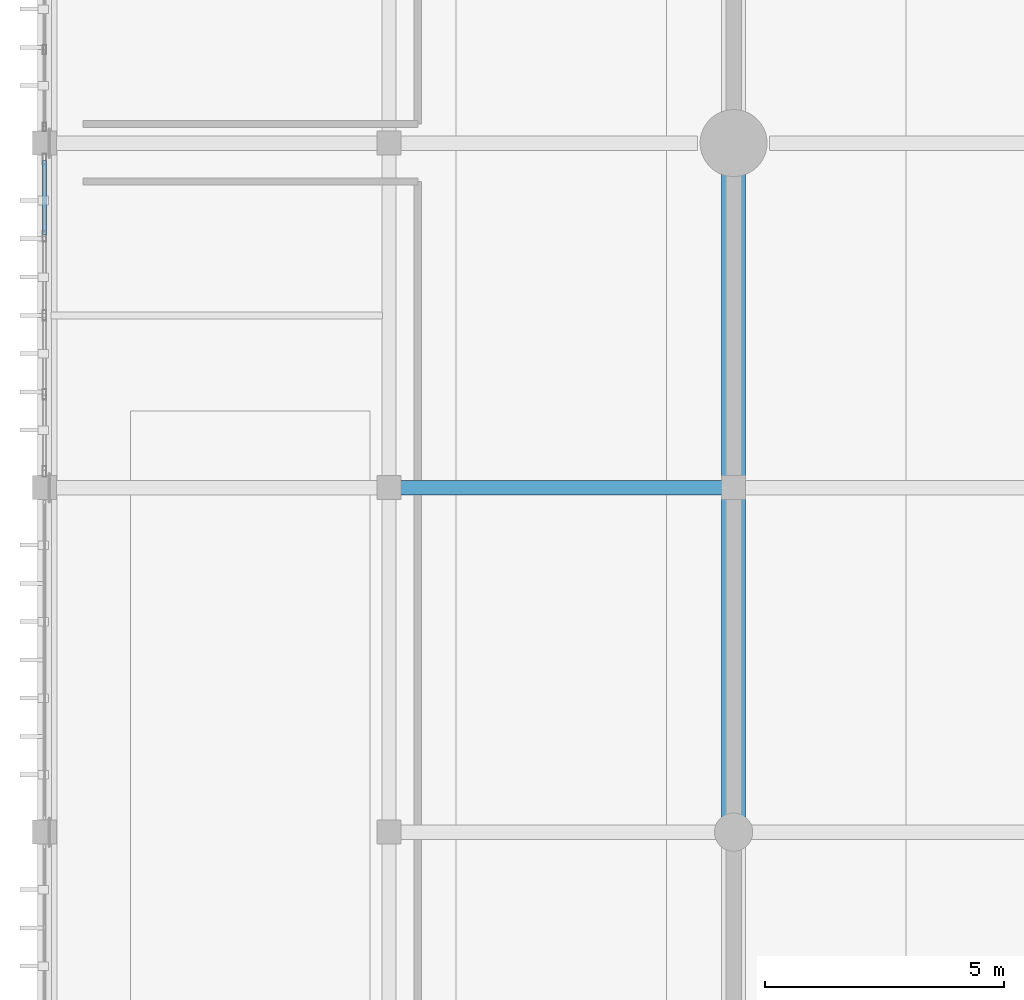
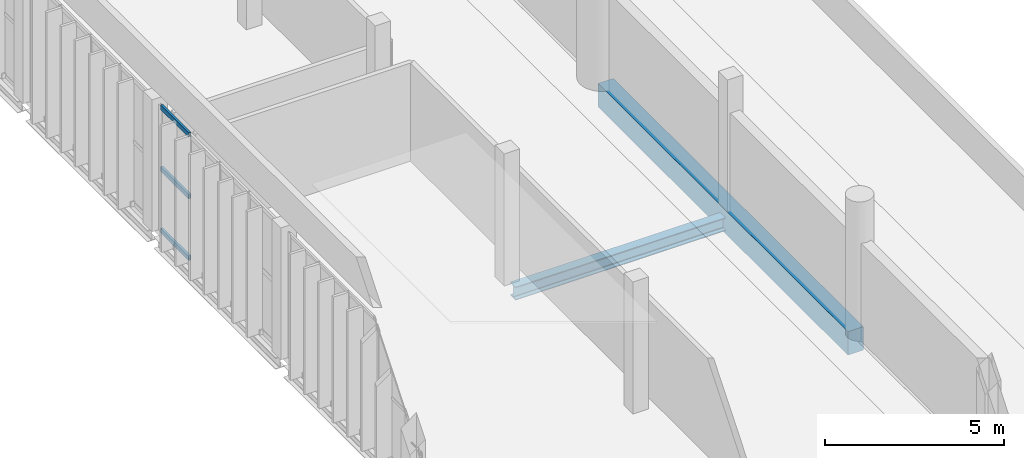
# One storey, part 14 of 64: 3 members, 2 beams, 1 element without a shape of its own.
"""IFC4 building model written with IfcOpenShell, lengths in metres."""

from ifc_helpers import new_model, si_unit, direction, frame, origin, origin_2d, place, context, subcontext, project, spatial, rectangle, hollow_rectangle, i_section, extrude, material, material_profile, profile_set, type_object, element, aggregate, save


model = new_model("IFC4")

# Units and contexts
model_context = context("Model", 3, precision=1e-05, world=origin(), true_north=direction((0.0, 1.0)))
body_context = subcontext(model_context, "Body", "Model", "MODEL_VIEW")
ifc_project = project(units=[si_unit("LENGTHUNIT", "METRE"), si_unit("AREAUNIT", "SQUARE_METRE"), si_unit("VOLUMEUNIT", "CUBIC_METRE"), si_unit("PLANEANGLEUNIT", "RADIAN"), si_unit("MASSUNIT", "GRAM", prefix="KILO")], contexts=[model_context])

# Site, building, storey
site_placement = place(None, origin())
site = spatial("IfcSite", under=ifc_project, at=site_placement, CompositionType="ELEMENT")
building_placement = place(site_placement, origin())
building = spatial("IfcBuilding", under=site, at=building_placement, Name="Qandorah Velis Arena", CompositionType="ELEMENT")
storey_placement = place(building_placement, frame((0.0, 0.0, 23.0)))
storey = spatial("IfcBuildingStorey", under=building, at=storey_placement, Name="L05", CompositionType="ELEMENT", Elevation=23.0)

# Curtain wall, members
ifc_material_1 = material(Name="Solar-control low-E double glazing", Category="glass")
curtain_wall_type = type_object("IfcCurtainWallType", Name="ARC-CW-SYS21", PredefinedType="USERDEFINED", material=ifc_material_1)
curtain_wall_placement = place(storey_placement, origin())
curtain_wall = element("IfcCurtainWall", 1, at=curtain_wall_placement, inside=storey, type_object=curtain_wall_type, Name="Unitised curtain wall L05-045", ObjectType="UNITISED CURTAIN WALL", PredefinedType="USERDEFINED")
ifc_material_2 = material(Name="Champagne-bronze anodized aluminium 6063-T6", Category="aluminium")
ifc_material_profile_1 = material_profile(ifc_material_2, hollow_rectangle(XDim=0.074951171875, YDim=0.159912109375, WallThickness=0.00341796875, at=origin_2d()), Name="ALU TRANSOM 75x160")
ifc_profile_set_1 = profile_set([ifc_material_profile_1], Name="Champagne-bronze anodized aluminium 6063-T6")
member_type = type_object("IfcMemberType", Name="ARC-CWT-160", PredefinedType="USERDEFINED", material=ifc_profile_set_1)
member_1_placement = place(storey_placement, frame((0.0, 55.675537109375, 0.03759765625), z_axis=(0.0, 1.0, 0.0), x_axis=(-1.0, 0.0, 0.0)))
member_1 = element("IfcMember", 2, at=member_1_placement, type_object=member_type, Name="CW21 transom 4.1", ObjectType="TRANSOM", PredefinedType="USERDEFINED", context=body_context, shape_type="SweptSolid", body=[
    extrude(hollow_rectangle(XDim=0.074951171875, YDim=0.159912109375, WallThickness=0.00341796875, at=origin_2d()), origin(), (0.0, 0.0, 1.0), 1.5615234375),
])
member_2_placement = place(storey_placement, frame((0.0, 55.675537109375, 2.139892578125), z_axis=(0.0, 1.0, 0.0), x_axis=(-1.0, 0.0, 0.0)))
member_2 = element("IfcMember", 3, at=member_2_placement, type_object=member_type, Name="CW21 transom 4.2", ObjectType="TRANSOM", PredefinedType="USERDEFINED", context=body_context, shape_type="SweptSolid", body=[
    extrude(hollow_rectangle(XDim=0.074951171875, YDim=0.159912109375, WallThickness=0.00341796875, at=origin_2d()), origin(), (0.0, 0.0, 1.0), 1.5615234375),
])
member_3_placement = place(storey_placement, frame((0.0, 55.675537109375, 4.242431640625), z_axis=(0.0, 1.0, 0.0), x_axis=(-1.0, 0.0, 0.0)))
member_3 = element("IfcMember", 4, at=member_3_placement, type_object=member_type, Name="CW21 transom 4.3", ObjectType="TRANSOM", PredefinedType="USERDEFINED", context=body_context, shape_type="SweptSolid", body=[
    extrude(hollow_rectangle(XDim=0.074951171875, YDim=0.159912109375, WallThickness=0.00341796875, at=origin_2d()), origin(), (0.0, 0.0, 1.0), 1.5615234375),
])
aggregate(curtain_wall, [member_1, member_2, member_3])

# Beams
ifc_material_3 = material(Name="Steel S355", Category="steel")
ifc_material_profile_2 = material_profile(ifc_material_3, i_section(OverallWidth=0.300048828125, OverallDepth=0.449951171875, WebThickness=0.013916015625, FlangeThickness=0.02587890625, FilletRadius=0.027099609375, at=origin_2d()), Name="HEB 450")
ifc_profile_set_2 = profile_set([ifc_material_profile_2], Name="Steel S355")
beam_type_1 = type_object("IfcBeamType", Name="STR-BM-HEB450", PredefinedType="BEAM", material=ifc_profile_set_2)
beam_1_placement = place(storey_placement, frame((7.37841796875, 50.39990234375, -0.47509765625), z_axis=(1.0, 0.0, 0.0), x_axis=(0.0, 1.0, 0.0)))
element("IfcBeam", 5, at=beam_1_placement, inside=storey, type_object=beam_type_1, Name="Primary floor girder L05 X-051", PredefinedType="BEAM", context=body_context, shape_type="SweptSolid", body=[
    extrude(i_section(OverallWidth=0.300048828125, OverallDepth=0.449951171875, WebThickness=0.013916015625, FlangeThickness=0.02587890625, FilletRadius=0.027099609375, at=origin_2d()), origin(), (0.0, 0.0, 1.0), 6.843017578125),
])
ifc_material_4 = material(Name="Concrete C40/50", Category="concrete")
ifc_material_profile_3 = material_profile(ifc_material_4, rectangle(XDim=0.5, YDim=0.800048828125, at=origin_2d()), Name="RC BM 500x800")
ifc_profile_set_3 = profile_set([ifc_material_profile_3], Name="Concrete C40/50")
beam_type_2 = type_object("IfcBeamType", Name="STR-RCBM-500X800", PredefinedType="BEAM", material=ifc_profile_set_3)
beam_2_placement = place(storey_placement, frame((14.39990234375, 43.419921875, -0.39990234375), z_axis=(0.0, 1.0, 0.0), x_axis=(-1.0, 0.0, 0.0)))
element("IfcBeam", 6, at=beam_2_placement, inside=storey, type_object=beam_type_2, Name="Drum west ring beam L05-3", PredefinedType="BEAM", context=body_context, shape_type="SweptSolid", body=[
    extrude(rectangle(XDim=0.5, YDim=0.800048828125, at=origin_2d()), origin(), (0.0, 0.0, 1.0), 13.9599609375),
])

save(model, "model.ifc")
